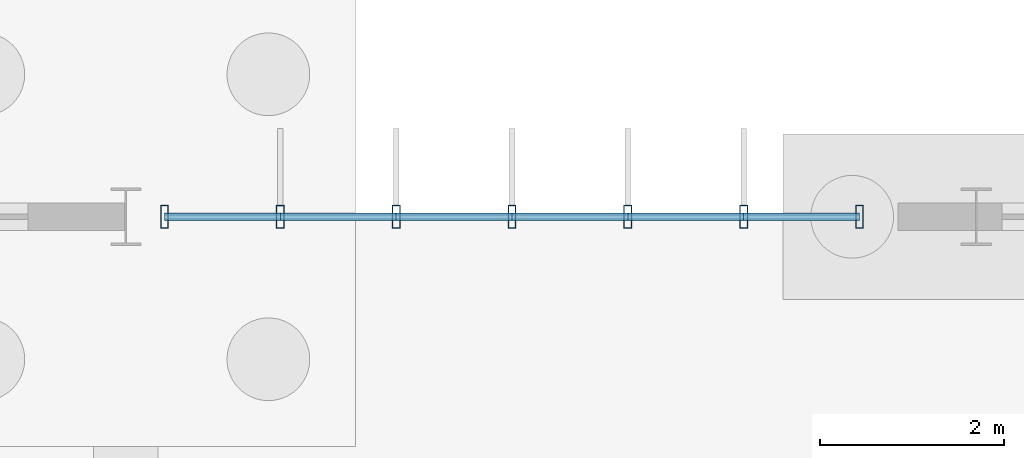
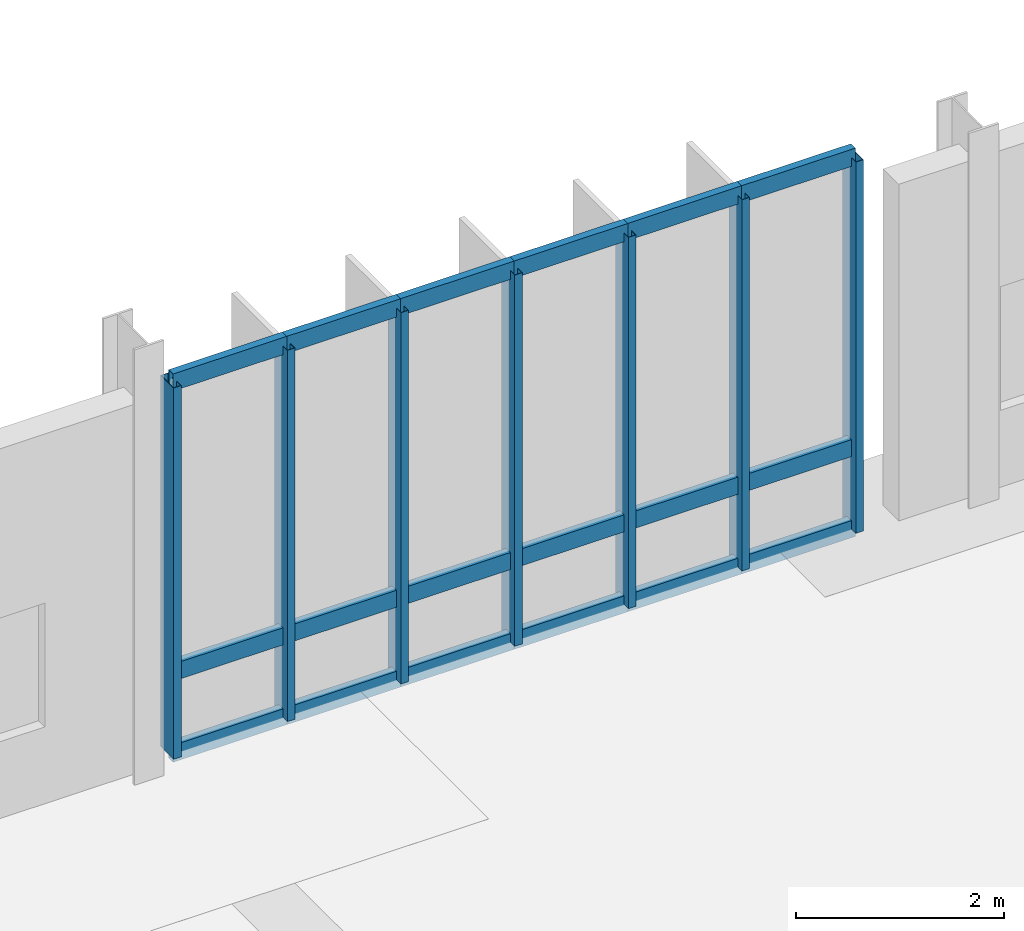
# One storey, part 59 of 119: 25 members, 1 element without a shape of its own.
"""IFC4 building model written with IfcOpenShell, lengths in metres."""

import ifcopenshell
import ifcopenshell.guid

model = None  # the IFC model being written
_history = None  # IfcOwnerHistory: only IFC2X3 demands one
_inside = {}  # id of a spatial element -> (the spatial element, [elements in it])
_under = {}  # id of a project, library or spatial element -> (it, [spatial elements below it])
_declared = {}  # id of a project -> (the project, [libraries it declares])
_typed = {}  # id of a type object -> (the type object, [elements of that type])
_made_of = {}  # id of a material, layer set ... -> (it, [elements and type objects made of it])


def new_model(schema):
    """Start an empty IFC model of exactly this schema.

    Asked for "IFC4X3", IfcOpenShell would pick the latest addendum, in which some entities
    have other attributes; the version numbers below select the first issue.
    IFC2X3 requires an IfcOwnerHistory on every rooted entity: one is made here for all.
    """
    global model, _history
    if schema == "IFC4X3":
        model = ifcopenshell.file(schema_version=(4, 3, 0, 0))
    else:
        model = ifcopenshell.file(schema=schema)
    _inside.clear()
    _under.clear()
    _declared.clear()
    _typed.clear()
    _made_of.clear()
    _history = None
    if model.schema == "IFC2X3":
        org = make("IfcOrganization", Name="unknown")
        user = make(
            "IfcPersonAndOrganization",
            ThePerson=make("IfcPerson", FamilyName="unknown"),
            TheOrganization=org,
        )
        app = make(
            "IfcApplication",
            ApplicationDeveloper=org,
            Version="unknown",
            ApplicationFullName="unknown",
            ApplicationIdentifier="unknown",
        )
        _history = make(
            "IfcOwnerHistory",
            OwningUser=user,
            OwningApplication=app,
            ChangeAction="ADDED",
            CreationDate=0,
        )
    return model


def make(cls, **values):
    """One entity of the class cls with the attributes given. An attribute that is None is left unset."""
    return model.create_entity(
        cls, **{name: value for name, value in values.items() if value is not None}
    )


def rooted(cls, **values):
    """An entity with a GlobalId (a new one), such as an element, a storey or a relation."""
    return make(cls, GlobalId=ifcopenshell.guid.new(), OwnerHistory=_history, **values)


def si_unit(unit_type, name, prefix=None):
    """IfcSIUnit, for example si_unit("LENGTHUNIT", "METRE", prefix="MILLI")."""
    return make("IfcSIUnit", UnitType=unit_type, Prefix=prefix, Name=name)


def derived_unit(unit_type, elements):
    """IfcDerivedUnit: a product of units, each with its exponent."""
    return make(
        "IfcDerivedUnit",
        Elements=[
            make("IfcDerivedUnitElement", Unit=unit, Exponent=power)
            for unit, power in elements
        ],
        UnitType=unit_type,
    )


def assignment(units):
    """IfcUnitAssignment: the units of a project."""
    return None if units is None else make("IfcUnitAssignment", Units=units)


def point(xyz):
    """IfcCartesianPoint."""
    return None if xyz is None else make("IfcCartesianPoint", Coordinates=xyz)


def direction(xyz):
    """IfcDirection."""
    return None if xyz is None else make("IfcDirection", DirectionRatios=xyz)


def frame(location, z_axis=None, x_axis=None):
    """IfcAxis2Placement3D, a coordinate frame: its origin and axes. An axis left out is left unset."""
    return make(
        "IfcAxis2Placement3D",
        Location=point(location),
        Axis=direction(z_axis),
        RefDirection=direction(x_axis),
    )


def frame_2d(location, x_axis=None):
    """IfcAxis2Placement2D, a coordinate frame in the plane: its origin and x axis."""
    return make(
        "IfcAxis2Placement2D", Location=point(location), RefDirection=direction(x_axis)
    )


def origin():
    """The frame at (0, 0, 0) with its axes left unset."""
    return frame((0.0, 0.0, 0.0))


def origin_2d():
    """The frame at (0, 0) in the plane with its x axis left unset."""
    return frame_2d((0.0, 0.0))


def place(relative_to, where):
    """IfcLocalPlacement: puts the frame where relative to a parent placement (None: the world)."""
    return make(
        "IfcLocalPlacement", PlacementRelTo=relative_to, RelativePlacement=where
    )


def context(
    kind, dimensions, precision=None, world=None, true_north=None, identifier=None
):
    """IfcGeometricRepresentationContext, for example the 3D "Model" context."""
    return make(
        "IfcGeometricRepresentationContext",
        ContextIdentifier=identifier,
        ContextType=kind,
        CoordinateSpaceDimension=dimensions,
        Precision=precision,
        WorldCoordinateSystem=world,
        TrueNorth=true_north,
    )


def subcontext(parent, identifier, kind, view, scale=None):
    """IfcGeometricRepresentationSubContext, for example "Body" below "Model"."""
    return make(
        "IfcGeometricRepresentationSubContext",
        ContextIdentifier=identifier,
        ContextType=kind,
        ParentContext=parent,
        TargetScale=scale,
        TargetView=view,
    )


def project(units=None, contexts=None):
    """IfcProject with its units and contexts."""
    return rooted(
        "IfcProject",
        Name="project",
        RepresentationContexts=contexts,
        UnitsInContext=assignment(units),
    )


def spatial(cls, under=None, at=None, **own):
    """A site, building, storey or space (cls), placed at a placement, below another one or the project."""
    s = rooted(cls, ObjectPlacement=at, **own)
    if under is not None:
        _under.setdefault(under.id(), (under, []))[1].append(s)
    return s


def profile(cls, at=None, kind="AREA", **sizes):
    """A parametric profile (cls). Its sizes go by their IFC names, for example OverallWidth=200.0."""
    return make(cls, ProfileType=kind, Position=at, **sizes)


def hollow_rectangle(**sizes):
    """IfcRectangleHollowProfileDef."""
    return profile("IfcRectangleHollowProfileDef", **sizes)


def extrude(swept, where, along, depth):
    """IfcExtrudedAreaSolid: the profile swept, set in the frame where, extruded along a direction by depth."""
    return make(
        "IfcExtrudedAreaSolid",
        SweptArea=swept,
        Position=where,
        ExtrudedDirection=direction(along),
        Depth=depth,
    )


def shape(context_of_items, identifier, shape_type, items):
    """IfcShapeRepresentation: the items that make up one representation, for example the "Body"."""
    return make(
        "IfcShapeRepresentation",
        ContextOfItems=context_of_items,
        RepresentationIdentifier=identifier,
        RepresentationType=shape_type,
        Items=items,
    )


def material(Name=None, Category=None):
    """IfcMaterial."""
    return make("IfcMaterial", Name=Name, Category=Category)


def layer(
    of_material, thickness, ventilated=None, Name=None, Category=None, Priority=None
):
    """IfcMaterialLayer: one layer of a wall or slab, of a material (None: an air gap)."""
    return make(
        "IfcMaterialLayer",
        Material=of_material,
        LayerThickness=thickness,
        IsVentilated=ventilated,
        Name=Name,
        Category=Category,
        Priority=Priority,
    )


def layer_set(layers, Name=None):
    """IfcMaterialLayerSet."""
    return make("IfcMaterialLayerSet", MaterialLayers=layers, LayerSetName=Name)


def material_profile(
    of_material, cross_section, Name=None, Category=None, Priority=None
):
    """IfcMaterialProfile: a cross section and its material."""
    return make(
        "IfcMaterialProfile",
        Name=Name,
        Material=of_material,
        Profile=cross_section,
        Priority=Priority,
        Category=Category,
    )


def profile_set(profiles, Name=None, composite=None):
    """IfcMaterialProfileSet."""
    return make(
        "IfcMaterialProfileSet",
        Name=Name,
        MaterialProfiles=profiles,
        CompositeProfile=composite,
    )


def made_of(thing, what):
    """Note that an element or type object is made of a material, layer set ...; save() writes the relation."""
    if what is not None:
        _made_of.setdefault(what.id(), (what, []))[1].append(thing)
    return thing


def type_object(cls, material=None, **own):
    """A type object (cls), such as IfcWallType, which elements share."""
    return made_of(rooted(cls, **own), material)


def element(
    cls,
    number,
    at=None,
    inside=None,
    cuts=None,
    type_object=None,
    material=None,
    context=None,
    identifier="Body",
    shape_type=None,
    held_by="IfcProductDefinitionShape",
    body=None,
    shapes=None,
    **own,
):
    """One element of the class cls, such as IfcWall. Its Tag is "e" and its number.

    at: its placement. inside: the storey or other place that contains it. cuts: it is an
    opening in that element (IfcRelVoidsElement). A single representation is given by context,
    identifier, shape_type and body (its items); several are given by shapes. held_by: the class
    of the entity that holds the representations. save() writes the other relations.
    """
    e = rooted(cls, Tag="e%d" % number, ObjectPlacement=at, **own)
    if body is not None:
        shapes = [shape(context, identifier, shape_type, body)]
    if shapes is not None:
        e.Representation = make(held_by, Representations=shapes)
    if inside is not None:
        _inside.setdefault(inside.id(), (inside, []))[1].append(e)
    if cuts is not None:
        rooted(
            "IfcRelVoidsElement", RelatingBuildingElement=cuts, RelatedOpeningElement=e
        )
    if type_object is not None:
        _typed.setdefault(type_object.id(), (type_object, []))[1].append(e)
    return made_of(e, material)


def aggregate(whole, parts):
    """IfcRelAggregates: a whole, such as a stair, and the parts it consists of."""
    return rooted("IfcRelAggregates", RelatingObject=whole, RelatedObjects=parts)


def save(model, path):
    """Write the relations noted so far, then the file.

    IfcRelAggregates (storeys below a building ...), IfcRelContainedInSpatialStructure (elements
    in a storey), IfcRelDefinesByType, IfcRelAssociatesMaterial and IfcRelDeclares: one each for
    every whole, place, type object, material and project.
    """
    for whole, parts in _under.values():
        aggregate(whole, parts)
    for where, things in _inside.values():
        rooted(
            "IfcRelContainedInSpatialStructure",
            RelatedElements=things,
            RelatingStructure=where,
        )
    for kind, things in _typed.values():
        rooted("IfcRelDefinesByType", RelatedObjects=things, RelatingType=kind)
    for what, things in _made_of.values():
        rooted("IfcRelAssociatesMaterial", RelatedObjects=things, RelatingMaterial=what)
    for by, libraries in _declared.values():
        rooted("IfcRelDeclares", RelatingContext=by, RelatedDefinitions=libraries)
    model.write(path)


model = new_model("IFC4")

# Units and contexts
model_context = context("Model", 3, precision=1e-05, world=origin(), true_north=direction((0.0, 1.0)))
body_context = subcontext(model_context, "Body", "Model", "MODEL_VIEW")
ifc_project = project(units=[si_unit("LENGTHUNIT", "METRE"), si_unit("AREAUNIT", "SQUARE_METRE"), si_unit("VOLUMEUNIT", "CUBIC_METRE"), si_unit("PLANEANGLEUNIT", "RADIAN"), si_unit("MASSUNIT", "GRAM", prefix="KILO"), derived_unit("THERMALTRANSMITTANCEUNIT", [(si_unit("MASSUNIT", "GRAM", prefix="KILO"), 1), (si_unit("TIMEUNIT", "SECOND"), -3), (si_unit("THERMODYNAMICTEMPERATUREUNIT", "KELVIN"), -1)])], contexts=[model_context])

# Site, building, storey
site_placement = place(None, origin())
site = spatial("IfcSite", under=ifc_project, at=site_placement, CompositionType="ELEMENT")
building_placement = place(site_placement, origin())
building = spatial("IfcBuilding", under=site, at=building_placement, Name="Makaiwela Harbour Ferry Terminal", CompositionType="ELEMENT")
storey_placement = place(building_placement, origin())
storey = spatial("IfcBuildingStorey", under=building, at=storey_placement, Name="L00", CompositionType="ELEMENT", Elevation=0.0)

# Curtain wall, members
ifc_material = material(Name="Marine anodised aluminium 6063-T6", Category="aluminium")
ifc_layer = layer(ifc_material, 0.199951171875)
ifc_layer_set = layer_set([ifc_layer], Name="Marine anodised aluminium 6063-T6")
curtain_wall_type = type_object("IfcCurtainWallType", Name="ENV-CW-10", PredefinedType="USERDEFINED", material=ifc_layer_set)
curtain_wall_placement = place(storey_placement, origin())
curtain_wall = element("IfcCurtainWall", 1, at=curtain_wall_placement, inside=storey, type_object=curtain_wall_type, Name="Unitised Curtain Wall CWA-076", ObjectType="UNITIZED CURTAIN WALL", PredefinedType="USERDEFINED")
ifc_material_profile_1 = material_profile(ifc_material, hollow_rectangle(XDim=0.0849609375, YDim=0.25, WallThickness=0.0048828125, at=origin_2d()), Name="CWM-250X85")
ifc_profile_set_1 = profile_set([ifc_material_profile_1], Name="Marine anodised aluminium 6063-T6")
member_type_1 = type_object("IfcMemberType", Name="CW-MUL-250", PredefinedType="MULLION", material=ifc_profile_set_1)
member_1_placement = place(storey_placement, frame((80.219970703125, 103.39990234375, 0.0), z_axis=(0.0, 0.0, 1.0), x_axis=(1.0, 0.0, 0.0)))
member_1 = element("IfcMember", 2, at=member_1_placement, type_object=member_type_1, Name="Curtain Wall Mullion CWA-076-1", PredefinedType="MULLION", context=body_context, shape_type="SweptSolid", body=[
    extrude(hollow_rectangle(XDim=0.0849609375, YDim=0.25, WallThickness=0.0048828125, at=origin_2d()), origin(), (0.0, 0.0, 1.0), 4.35009765625),
])
member_2_placement = place(storey_placement, frame((81.47998046875, 103.39990234375, 0.0), z_axis=(0.0, 0.0, 1.0), x_axis=(1.0, 0.0, 0.0)))
member_2 = element("IfcMember", 3, at=member_2_placement, type_object=member_type_1, Name="Curtain Wall Mullion CWA-076-2", PredefinedType="MULLION", context=body_context, shape_type="SweptSolid", body=[
    extrude(hollow_rectangle(XDim=0.0849609375, YDim=0.25, WallThickness=0.0048828125, at=origin_2d()), origin(), (0.0, 0.0, 1.0), 4.35009765625),
])
member_3_placement = place(storey_placement, frame((82.739990234375, 103.39990234375, 0.0), z_axis=(0.0, 0.0, 1.0), x_axis=(1.0, 0.0, 0.0)))
member_3 = element("IfcMember", 4, at=member_3_placement, type_object=member_type_1, Name="Curtain Wall Mullion CWA-076-3", PredefinedType="MULLION", context=body_context, shape_type="SweptSolid", body=[
    extrude(hollow_rectangle(XDim=0.0849609375, YDim=0.25, WallThickness=0.0048828125, at=origin_2d()), origin(), (0.0, 0.0, 1.0), 4.35009765625),
])
member_4_placement = place(storey_placement, frame((84.0, 103.39990234375, 0.0), z_axis=(0.0, 0.0, 1.0), x_axis=(1.0, 0.0, 0.0)))
member_4 = element("IfcMember", 5, at=member_4_placement, type_object=member_type_1, Name="Curtain Wall Mullion CWA-076-4", PredefinedType="MULLION", context=body_context, shape_type="SweptSolid", body=[
    extrude(hollow_rectangle(XDim=0.0849609375, YDim=0.25, WallThickness=0.0048828125, at=origin_2d()), origin(), (0.0, 0.0, 1.0), 4.35009765625),
])
member_5_placement = place(storey_placement, frame((85.260009765625, 103.39990234375, 0.0), z_axis=(0.0, 0.0, 1.0), x_axis=(1.0, 0.0, 0.0)))
member_5 = element("IfcMember", 6, at=member_5_placement, type_object=member_type_1, Name="Curtain Wall Mullion CWA-076-5", PredefinedType="MULLION", context=body_context, shape_type="SweptSolid", body=[
    extrude(hollow_rectangle(XDim=0.0849609375, YDim=0.25, WallThickness=0.0048828125, at=origin_2d()), origin(), (0.0, 0.0, 1.0), 4.35009765625),
])
member_6_placement = place(storey_placement, frame((86.52001953125, 103.39990234375, 0.0), z_axis=(0.0, 0.0, 1.0), x_axis=(1.0, 0.0, 0.0)))
member_6 = element("IfcMember", 7, at=member_6_placement, type_object=member_type_1, Name="Curtain Wall Mullion CWA-076-6", PredefinedType="MULLION", context=body_context, shape_type="SweptSolid", body=[
    extrude(hollow_rectangle(XDim=0.0849609375, YDim=0.25, WallThickness=0.0048828125, at=origin_2d()), origin(), (0.0, 0.0, 1.0), 4.35009765625),
])
member_7_placement = place(storey_placement, frame((87.780029296875, 103.39990234375, 0.0), z_axis=(0.0, 0.0, 1.0), x_axis=(1.0, 0.0, 0.0)))
member_7 = element("IfcMember", 8, at=member_7_placement, type_object=member_type_1, Name="Curtain Wall Mullion CWA-076-7", PredefinedType="MULLION", context=body_context, shape_type="SweptSolid", body=[
    extrude(hollow_rectangle(XDim=0.0849609375, YDim=0.25, WallThickness=0.0048828125, at=origin_2d()), origin(), (0.0, 0.0, 1.0), 4.35009765625),
])
ifc_material_profile_2 = material_profile(ifc_material, hollow_rectangle(XDim=0.0849609375, YDim=0.199951171875, WallThickness=0.0048828125, at=origin_2d()), Name="CWT-200X85")
ifc_profile_set_2 = profile_set([ifc_material_profile_2], Name="Marine anodised aluminium 6063-T6")
member_type_2 = type_object("IfcMemberType", Name="CW-TRN-200", PredefinedType="USERDEFINED", material=ifc_profile_set_2)
member_8_placement = place(storey_placement, frame((80.219970703125, 103.39990234375, 0.0), z_axis=(1.0, 0.0, 0.0), x_axis=(0.0, 1.0, 0.0)))
member_8 = element("IfcMember", 9, at=member_8_placement, type_object=member_type_2, Name="Curtain Wall Transom CWA-076-1-1", ObjectType="TRANSOM", PredefinedType="USERDEFINED", context=body_context, shape_type="SweptSolid", body=[
    extrude(hollow_rectangle(XDim=0.0849609375, YDim=0.199951171875, WallThickness=0.0048828125, at=origin_2d()), origin(), (0.0, 0.0, 1.0), 1.260009765625),
])
member_9_placement = place(storey_placement, frame((80.219970703125, 103.39990234375, 0.949951171875), z_axis=(1.0, 0.0, 0.0), x_axis=(0.0, 1.0, 0.0)))
member_9 = element("IfcMember", 10, at=member_9_placement, type_object=member_type_2, Name="Curtain Wall Transom CWA-076-1-2", ObjectType="TRANSOM", PredefinedType="USERDEFINED", context=body_context, shape_type="SweptSolid", body=[
    extrude(hollow_rectangle(XDim=0.0849609375, YDim=0.199951171875, WallThickness=0.0048828125, at=origin_2d()), origin(), (0.0, 0.0, 1.0), 1.260009765625),
])
member_10_placement = place(storey_placement, frame((80.219970703125, 103.39990234375, 4.35009765625), z_axis=(1.0, 0.0, 0.0), x_axis=(0.0, 1.0, 0.0)))
member_10 = element("IfcMember", 11, at=member_10_placement, type_object=member_type_2, Name="Curtain Wall Transom CWA-076-1-3", ObjectType="TRANSOM", PredefinedType="USERDEFINED", context=body_context, shape_type="SweptSolid", body=[
    extrude(hollow_rectangle(XDim=0.0849609375, YDim=0.199951171875, WallThickness=0.0048828125, at=origin_2d()), origin(), (0.0, 0.0, 1.0), 1.260009765625),
])
member_11_placement = place(storey_placement, frame((81.47998046875, 103.39990234375, 0.0), z_axis=(1.0, 0.0, 0.0), x_axis=(0.0, 1.0, 0.0)))
member_11 = element("IfcMember", 12, at=member_11_placement, type_object=member_type_2, Name="Curtain Wall Transom CWA-076-2-1", ObjectType="TRANSOM", PredefinedType="USERDEFINED", context=body_context, shape_type="SweptSolid", body=[
    extrude(hollow_rectangle(XDim=0.0849609375, YDim=0.199951171875, WallThickness=0.0048828125, at=origin_2d()), origin(), (0.0, 0.0, 1.0), 1.260009765625),
])
member_12_placement = place(storey_placement, frame((81.47998046875, 103.39990234375, 0.949951171875), z_axis=(1.0, 0.0, 0.0), x_axis=(0.0, 1.0, 0.0)))
member_12 = element("IfcMember", 13, at=member_12_placement, type_object=member_type_2, Name="Curtain Wall Transom CWA-076-2-2", ObjectType="TRANSOM", PredefinedType="USERDEFINED", context=body_context, shape_type="SweptSolid", body=[
    extrude(hollow_rectangle(XDim=0.0849609375, YDim=0.199951171875, WallThickness=0.0048828125, at=origin_2d()), origin(), (0.0, 0.0, 1.0), 1.260009765625),
])
member_13_placement = place(storey_placement, frame((81.47998046875, 103.39990234375, 4.35009765625), z_axis=(1.0, 0.0, 0.0), x_axis=(0.0, 1.0, 0.0)))
member_13 = element("IfcMember", 14, at=member_13_placement, type_object=member_type_2, Name="Curtain Wall Transom CWA-076-2-3", ObjectType="TRANSOM", PredefinedType="USERDEFINED", context=body_context, shape_type="SweptSolid", body=[
    extrude(hollow_rectangle(XDim=0.0849609375, YDim=0.199951171875, WallThickness=0.0048828125, at=origin_2d()), origin(), (0.0, 0.0, 1.0), 1.260009765625),
])
member_14_placement = place(storey_placement, frame((82.739990234375, 103.39990234375, 0.0), z_axis=(1.0, 0.0, 0.0), x_axis=(0.0, 1.0, 0.0)))
member_14 = element("IfcMember", 15, at=member_14_placement, type_object=member_type_2, Name="Curtain Wall Transom CWA-076-3-1", ObjectType="TRANSOM", PredefinedType="USERDEFINED", context=body_context, shape_type="SweptSolid", body=[
    extrude(hollow_rectangle(XDim=0.0849609375, YDim=0.199951171875, WallThickness=0.0048828125, at=origin_2d()), origin(), (0.0, 0.0, 1.0), 1.260009765625),
])
member_15_placement = place(storey_placement, frame((82.739990234375, 103.39990234375, 0.949951171875), z_axis=(1.0, 0.0, 0.0), x_axis=(0.0, 1.0, 0.0)))
member_15 = element("IfcMember", 16, at=member_15_placement, type_object=member_type_2, Name="Curtain Wall Transom CWA-076-3-2", ObjectType="TRANSOM", PredefinedType="USERDEFINED", context=body_context, shape_type="SweptSolid", body=[
    extrude(hollow_rectangle(XDim=0.0849609375, YDim=0.199951171875, WallThickness=0.0048828125, at=origin_2d()), origin(), (0.0, 0.0, 1.0), 1.260009765625),
])
member_16_placement = place(storey_placement, frame((82.739990234375, 103.39990234375, 4.35009765625), z_axis=(1.0, 0.0, 0.0), x_axis=(0.0, 1.0, 0.0)))
member_16 = element("IfcMember", 17, at=member_16_placement, type_object=member_type_2, Name="Curtain Wall Transom CWA-076-3-3", ObjectType="TRANSOM", PredefinedType="USERDEFINED", context=body_context, shape_type="SweptSolid", body=[
    extrude(hollow_rectangle(XDim=0.0849609375, YDim=0.199951171875, WallThickness=0.0048828125, at=origin_2d()), origin(), (0.0, 0.0, 1.0), 1.260009765625),
])
member_17_placement = place(storey_placement, frame((84.0, 103.39990234375, 0.0), z_axis=(1.0, 0.0, 0.0), x_axis=(0.0, 1.0, 0.0)))
member_17 = element("IfcMember", 18, at=member_17_placement, type_object=member_type_2, Name="Curtain Wall Transom CWA-076-4-1", ObjectType="TRANSOM", PredefinedType="USERDEFINED", context=body_context, shape_type="SweptSolid", body=[
    extrude(hollow_rectangle(XDim=0.0849609375, YDim=0.199951171875, WallThickness=0.0048828125, at=origin_2d()), origin(), (0.0, 0.0, 1.0), 1.260009765625),
])
member_18_placement = place(storey_placement, frame((84.0, 103.39990234375, 0.949951171875), z_axis=(1.0, 0.0, 0.0), x_axis=(0.0, 1.0, 0.0)))
member_18 = element("IfcMember", 19, at=member_18_placement, type_object=member_type_2, Name="Curtain Wall Transom CWA-076-4-2", ObjectType="TRANSOM", PredefinedType="USERDEFINED", context=body_context, shape_type="SweptSolid", body=[
    extrude(hollow_rectangle(XDim=0.0849609375, YDim=0.199951171875, WallThickness=0.0048828125, at=origin_2d()), origin(), (0.0, 0.0, 1.0), 1.260009765625),
])
member_19_placement = place(storey_placement, frame((84.0, 103.39990234375, 4.35009765625), z_axis=(1.0, 0.0, 0.0), x_axis=(0.0, 1.0, 0.0)))
member_19 = element("IfcMember", 20, at=member_19_placement, type_object=member_type_2, Name="Curtain Wall Transom CWA-076-4-3", ObjectType="TRANSOM", PredefinedType="USERDEFINED", context=body_context, shape_type="SweptSolid", body=[
    extrude(hollow_rectangle(XDim=0.0849609375, YDim=0.199951171875, WallThickness=0.0048828125, at=origin_2d()), origin(), (0.0, 0.0, 1.0), 1.260009765625),
])
member_20_placement = place(storey_placement, frame((85.260009765625, 103.39990234375, 0.0), z_axis=(1.0, 0.0, 0.0), x_axis=(0.0, 1.0, 0.0)))
member_20 = element("IfcMember", 21, at=member_20_placement, type_object=member_type_2, Name="Curtain Wall Transom CWA-076-5-1", ObjectType="TRANSOM", PredefinedType="USERDEFINED", context=body_context, shape_type="SweptSolid", body=[
    extrude(hollow_rectangle(XDim=0.0849609375, YDim=0.199951171875, WallThickness=0.0048828125, at=origin_2d()), origin(), (0.0, 0.0, 1.0), 1.260009765625),
])
member_21_placement = place(storey_placement, frame((85.260009765625, 103.39990234375, 0.949951171875), z_axis=(1.0, 0.0, 0.0), x_axis=(0.0, 1.0, 0.0)))
member_21 = element("IfcMember", 22, at=member_21_placement, type_object=member_type_2, Name="Curtain Wall Transom CWA-076-5-2", ObjectType="TRANSOM", PredefinedType="USERDEFINED", context=body_context, shape_type="SweptSolid", body=[
    extrude(hollow_rectangle(XDim=0.0849609375, YDim=0.199951171875, WallThickness=0.0048828125, at=origin_2d()), origin(), (0.0, 0.0, 1.0), 1.260009765625),
])
member_22_placement = place(storey_placement, frame((85.260009765625, 103.39990234375, 4.35009765625), z_axis=(1.0, 0.0, 0.0), x_axis=(0.0, 1.0, 0.0)))
member_22 = element("IfcMember", 23, at=member_22_placement, type_object=member_type_2, Name="Curtain Wall Transom CWA-076-5-3", ObjectType="TRANSOM", PredefinedType="USERDEFINED", context=body_context, shape_type="SweptSolid", body=[
    extrude(hollow_rectangle(XDim=0.0849609375, YDim=0.199951171875, WallThickness=0.0048828125, at=origin_2d()), origin(), (0.0, 0.0, 1.0), 1.260009765625),
])
member_23_placement = place(storey_placement, frame((86.52001953125, 103.39990234375, 0.0), z_axis=(1.0, 0.0, 0.0), x_axis=(0.0, 1.0, 0.0)))
member_23 = element("IfcMember", 24, at=member_23_placement, type_object=member_type_2, Name="Curtain Wall Transom CWA-076-6-1", ObjectType="TRANSOM", PredefinedType="USERDEFINED", context=body_context, shape_type="SweptSolid", body=[
    extrude(hollow_rectangle(XDim=0.0849609375, YDim=0.199951171875, WallThickness=0.0048828125, at=origin_2d()), origin(), (0.0, 0.0, 1.0), 1.260009765625),
])
member_24_placement = place(storey_placement, frame((86.52001953125, 103.39990234375, 0.949951171875), z_axis=(1.0, 0.0, 0.0), x_axis=(0.0, 1.0, 0.0)))
member_24 = element("IfcMember", 25, at=member_24_placement, type_object=member_type_2, Name="Curtain Wall Transom CWA-076-6-2", ObjectType="TRANSOM", PredefinedType="USERDEFINED", context=body_context, shape_type="SweptSolid", body=[
    extrude(hollow_rectangle(XDim=0.0849609375, YDim=0.199951171875, WallThickness=0.0048828125, at=origin_2d()), origin(), (0.0, 0.0, 1.0), 1.260009765625),
])
member_25_placement = place(storey_placement, frame((86.52001953125, 103.39990234375, 4.35009765625), z_axis=(1.0, 0.0, 0.0), x_axis=(0.0, 1.0, 0.0)))
member_25 = element("IfcMember", 26, at=member_25_placement, type_object=member_type_2, Name="Curtain Wall Transom CWA-076-6-3", ObjectType="TRANSOM", PredefinedType="USERDEFINED", context=body_context, shape_type="SweptSolid", body=[
    extrude(hollow_rectangle(XDim=0.0849609375, YDim=0.199951171875, WallThickness=0.0048828125, at=origin_2d()), origin(), (0.0, 0.0, 1.0), 1.260009765625),
])
aggregate(curtain_wall, [member_1, member_2, member_3, member_4, member_5, member_6, member_7, member_8, member_9, member_10, member_11, member_12, member_13, member_14, member_15, member_16, member_17, member_18, member_19, member_20, member_21, member_22, member_23, member_24, member_25])

save(model, "model.ifc")
